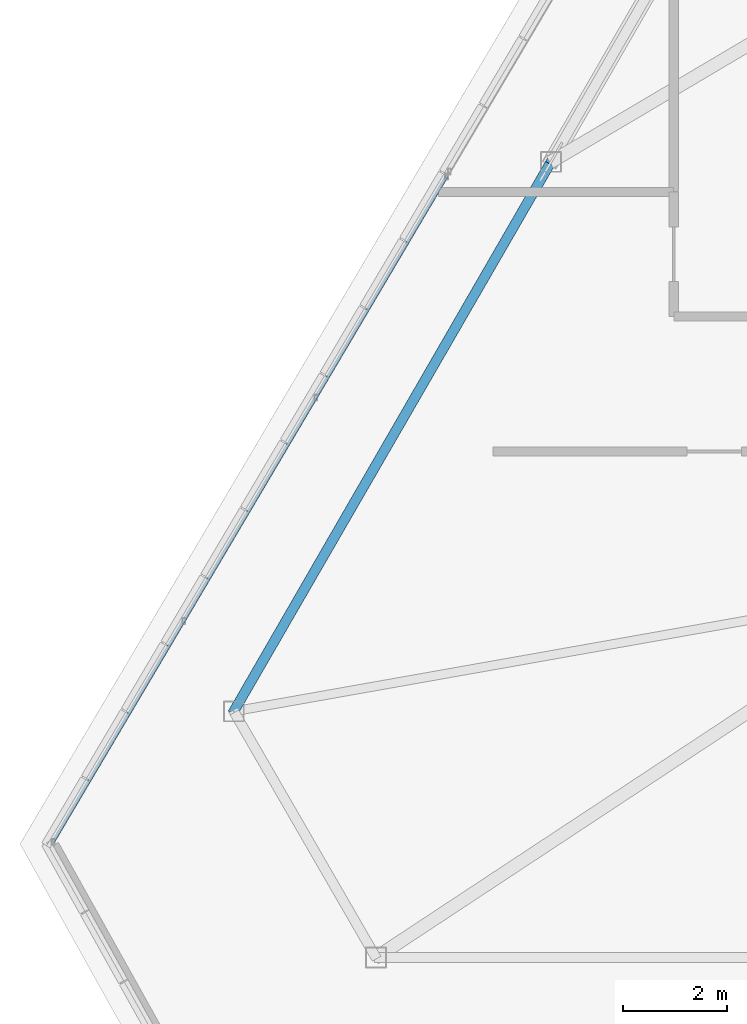
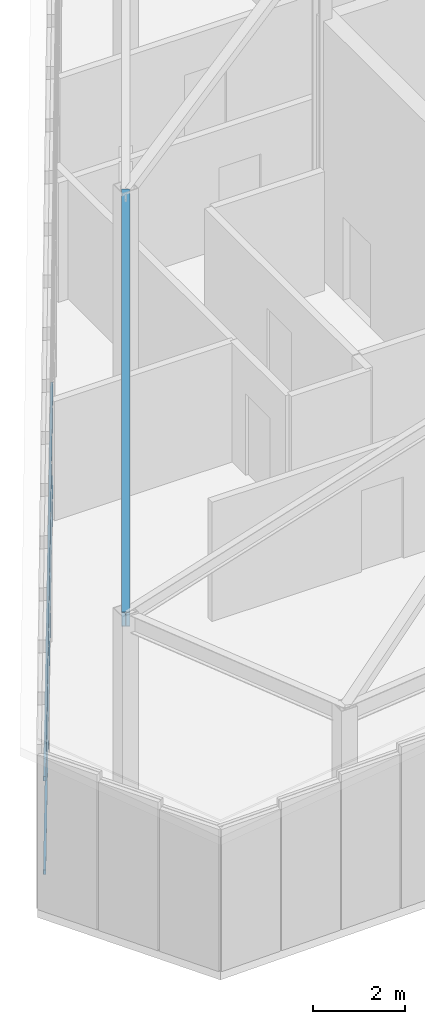
# One storey, part 8 of 50: 2 members, 1 beam, 1 element without a shape of its own.
"""IFC4 building model written with IfcOpenShell, lengths in metres."""

from ifc_helpers import new_model, si_unit, direction, frame, origin, origin_2d, place, context, subcontext, project, spatial, hollow_rectangle, i_section, extrude, source, transform, mapped, material, material_profile, profile_set, type_object, type_shapes, element, aggregate, save


model = new_model("IFC4")

# Units and contexts
model_context = context("Model", 3, precision=1e-05, world=origin(), true_north=direction((0.0, 1.0)))
body_context = subcontext(model_context, "Body", "Model", "MODEL_VIEW")
ifc_project = project(units=[si_unit("LENGTHUNIT", "METRE"), si_unit("AREAUNIT", "SQUARE_METRE"), si_unit("VOLUMEUNIT", "CUBIC_METRE"), si_unit("PLANEANGLEUNIT", "RADIAN"), si_unit("MASSUNIT", "GRAM", prefix="KILO")], contexts=[model_context])

# Site, building, storey
site_placement = place(None, origin())
site = spatial("IfcSite", under=ifc_project, at=site_placement, CompositionType="ELEMENT")
building_placement = place(site_placement, origin())
building = spatial("IfcBuilding", under=site, at=building_placement, Name="Caelisora Broadcast Tower", CompositionType="ELEMENT")
storey_placement = place(building_placement, frame((0.0, 0.0, 303.39990234375)))
storey = spatial("IfcBuildingStorey", under=building, at=storey_placement, Name="L80", CompositionType="ELEMENT", Elevation=303.39990234375)

# Beam
ifc_material_1 = material(Name="Steel Grade 350 (AS/NZS 3679.1)", Category="steel")
ifc_material_profile_1 = material_profile(ifc_material_1, i_section(OverallWidth=0.19091796875, OverallDepth=0.46044921875, WebThickness=0.010009765625, FlangeThickness=0.01611328125, at=origin_2d()), Name="Steel Grade 350 (AS/NZS 3679.1)")
ifc_profile_set_1 = profile_set([ifc_material_profile_1], Name="Steel Grade 350 (AS/NZS 3679.1)")
beam_type = type_object("IfcBeamType", Name="RB01", PredefinedType="USERDEFINED", material=ifc_profile_set_1)
shared_shape_1 = source(origin(), body_context, "Body", "SweptSolid", [
    extrude(i_section(OverallWidth=0.19091796875, OverallDepth=0.46044921875, WebThickness=0.010009765625, FlangeThickness=0.01611328125, at=origin_2d()), origin(), (0.0, 0.0, 1.0), 12.505126953125),
])
type_shapes(beam_type, [shared_shape_1])
beam_placement = place(storey_placement, frame((23.035888671875, 25.581298828125, 7.420654296875), z_axis=(-0.488824932395, -0.846667898521, -0.210246652966), x_axis=(0.866024963853, -0.500000761984, 0.0)))
element("IfcBeam", 1, at=beam_placement, inside=storey, type_object=beam_type, Name="L80 beam RB01", ObjectType="RAFTER", PredefinedType="USERDEFINED", context=body_context, shape_type="MappedRepresentation", body=[
    mapped(shared_shape_1, transform((0.0, 0.0, 0.0), scale=1.0)),
])

# Curtain wall, members
ifc_material_2 = material(Name="Unitised Aluminium Insulated Shadow-Box Spandrel Curtain Wall", Category="aluminium")
curtain_wall_type = type_object("IfcCurtainWallType", Name="CW-SP3", PredefinedType="NOTDEFINED", material=ifc_material_2)
curtain_wall_placement = place(storey_placement, origin())
curtain_wall = element("IfcCurtainWall", 2, at=curtain_wall_placement, inside=storey, type_object=curtain_wall_type, Name="L80 curtain wall CW-SP3", PredefinedType="NOTDEFINED")
ifc_material_3 = material(Name="Aluminium 6063-T6 Anodised Terracotta Bronze", Category="aluminium")
ifc_material_profile_2 = material_profile(ifc_material_3, hollow_rectangle(XDim=0.06005859375, YDim=0.1201171875, WallThickness=0.0029296875, at=origin_2d()), Name="Aluminium 6063-T6 Anodised Terracotta Bronze")
ifc_profile_set_2 = profile_set([ifc_material_profile_2], Name="Aluminium 6063-T6 Anodised Terracotta Bronze")
member_type = type_object("IfcMemberType", Name="CWT-03", PredefinedType="USERDEFINED", material=ifc_profile_set_2)
shared_shape_2 = source(origin(), body_context, "Body", "SweptSolid", [
    extrude(hollow_rectangle(XDim=0.06005859375, YDim=0.1201171875, WallThickness=0.0029296875, at=origin_2d()), origin(), (0.0, 0.0, 1.0), 14.8974609375),
])
type_shapes(member_type, [shared_shape_2])
member_1_placement = place(storey_placement, frame((13.4404296875, 12.47509765625, 0.85009765625), z_axis=(0.508896043413, 0.860827983396, 0.0), x_axis=(-0.860827983396, 0.508896043413, 0.0)))
member_1 = element("IfcMember", 3, at=member_1_placement, type_object=member_type, Name="L80-CW-B09 transom #1", ObjectType="TRANSOM", PredefinedType="USERDEFINED", context=body_context, shape_type="MappedRepresentation", body=[
    mapped(shared_shape_2, transform((0.0, 0.0, 0.0), scale=1.0)),
])
member_2_placement = place(storey_placement, frame((13.4404296875, 12.47509765625, 3.320068359375), z_axis=(0.508896043413, 0.860827983396, 0.0), x_axis=(-0.860827983396, 0.508896043413, 0.0)))
member_2 = element("IfcMember", 4, at=member_2_placement, type_object=member_type, Name="L80-CW-B09 transom #2", ObjectType="TRANSOM", PredefinedType="USERDEFINED", context=body_context, shape_type="MappedRepresentation", body=[
    mapped(shared_shape_2, transform((0.0, 0.0, 0.0), scale=1.0)),
])
aggregate(curtain_wall, [member_1, member_2])

save(model, "model.ifc")
